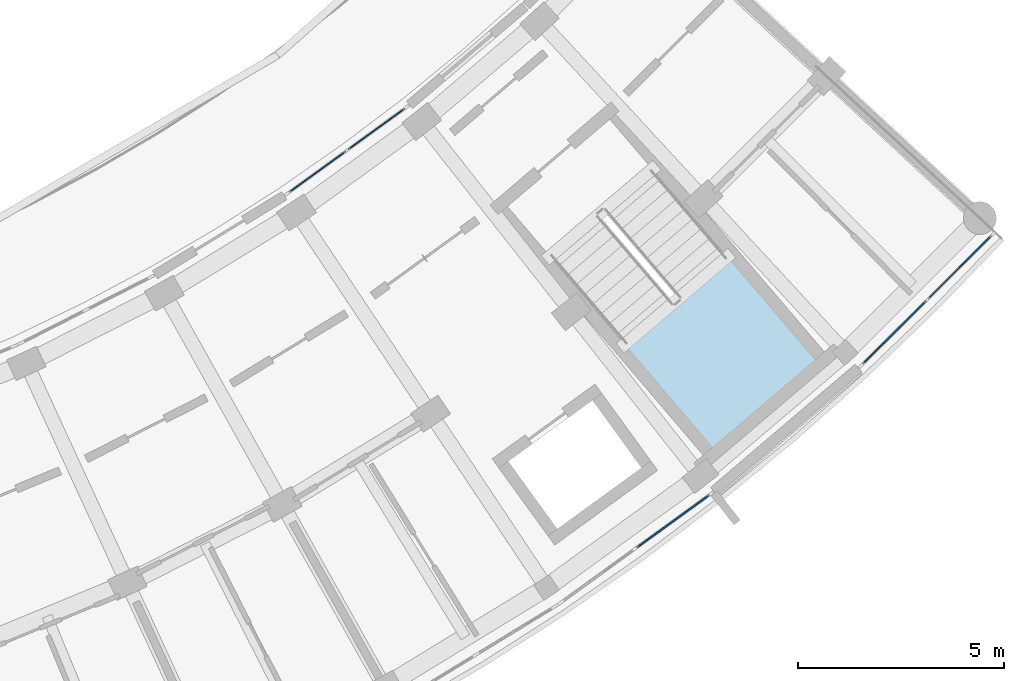
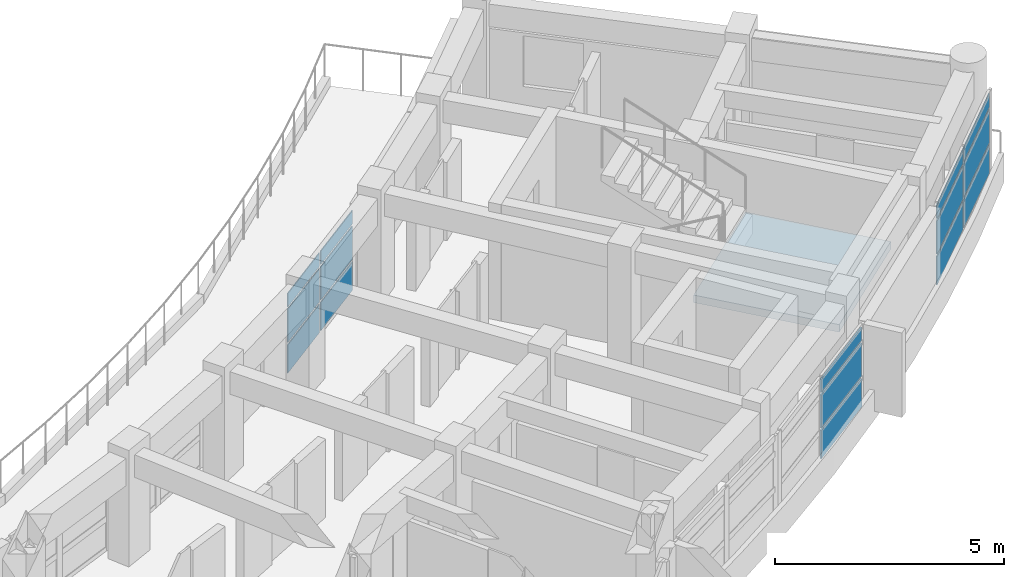
# One storey, part 26 of 54: 15 plates, 1 slab, 4 elements without a shape of their own.
"""IFC4 building model written with IfcOpenShell, lengths in metres."""

from ifc_helpers import new_model, si_unit, direction, frame, origin, origin_2d, place, context, subcontext, project, spatial, polyline, rectangle, outline, extrude, material, layer, layer_set, type_object, element, aggregate, save


model = new_model("IFC4")

# Units and contexts
model_context = context("Model", 3, precision=1e-05, world=origin(), true_north=direction((0.0, 1.0)))
body_context = subcontext(model_context, "Body", "Model", "MODEL_VIEW")
ifc_project = project(units=[si_unit("LENGTHUNIT", "METRE"), si_unit("AREAUNIT", "SQUARE_METRE"), si_unit("VOLUMEUNIT", "CUBIC_METRE"), si_unit("PLANEANGLEUNIT", "RADIAN"), si_unit("MASSUNIT", "GRAM", prefix="KILO")], contexts=[model_context])

# Site, building, storey
site_placement = place(None, origin())
site = spatial("IfcSite", under=ifc_project, at=site_placement, CompositionType="ELEMENT")
building_placement = place(site_placement, origin())
building = spatial("IfcBuilding", under=site, at=building_placement, Name="Zimvara Arc Housing Community", CompositionType="ELEMENT")
storey_placement = place(building_placement, frame((0.0, 0.0, 20.5)))
storey = spatial("IfcBuildingStorey", under=building, at=storey_placement, Name="L06", CompositionType="ELEMENT", Elevation=20.5)

# Curtain wall, plates
ifc_material_1 = material(Name="Anodised Aluminium AW-6063", Category="aluminium")
curtain_wall_type_1 = type_object("IfcCurtainWallType", Name="CW-SYS-04", PredefinedType="USERDEFINED", material=ifc_material_1)
curtain_wall_1_placement = place(storey_placement, origin())
curtain_wall_1 = element("IfcCurtainWall", 1, at=curtain_wall_1_placement, inside=storey, type_object=curtain_wall_type_1, Name="cw:blkD:L06:out:b7", ObjectType="CURTAIN WALL", PredefinedType="USERDEFINED")
ifc_material_2 = material(Name="Pale-Gold Anodised Aluminium Spandrel Panel", Category="aluminium")
ifc_layer_1 = layer(ifc_material_2, 0.035888671875)
ifc_layer_set_1 = layer_set([ifc_layer_1], Name="Pale-Gold Anodised Aluminium Spandrel Panel")
plate_type_1 = type_object("IfcPlateType", Name="CWP-GLD-36", PredefinedType="CURTAIN_PANEL", material=ifc_layer_set_1)
plate_1_placement = place(storey_placement, frame((161.719970703125, 62.484375, 0.06494140625), z_axis=(0.0, 0.0, 1.0), x_axis=(0.809530431263, 0.587077917196, 0.0)))
plate_1 = element("IfcPlate", 2, at=plate_1_placement, type_object=plate_type_1, Name="CW04 panel 2.1", PredefinedType="CURTAIN_PANEL", context=body_context, shape_type="SweptSolid", body=[
    extrude(rectangle(XDim=2.173828125, YDim=0.035888671875, at=origin_2d()), origin(), (0.0, 0.0, 1.0), 0.75244140625),
])
plate_2_placement = place(storey_placement, frame((161.719970703125, 62.484375, 0.88232421875), z_axis=(0.0, 0.0, 1.0), x_axis=(0.809530431263, 0.587077917196, 0.0)))
plate_2 = element("IfcPlate", 3, at=plate_2_placement, type_object=plate_type_1, Name="CW04 panel 2.2", PredefinedType="CURTAIN_PANEL", context=body_context, shape_type="SweptSolid", body=[
    extrude(rectangle(XDim=2.173828125, YDim=0.035888671875, at=origin_2d()), origin(), (0.0, 0.0, 1.0), 0.885009765625),
])
plate_3_placement = place(storey_placement, frame((161.719970703125, 62.484375, 1.83251953125), z_axis=(0.0, 0.0, 1.0), x_axis=(0.809530431263, 0.587077917196, 0.0)))
plate_3 = element("IfcPlate", 4, at=plate_3_placement, type_object=plate_type_1, Name="CW04 panel 2.3", PredefinedType="CURTAIN_PANEL", context=body_context, shape_type="SweptSolid", body=[
    extrude(rectangle(XDim=2.173828125, YDim=0.035888671875, at=origin_2d()), origin(), (0.0, 0.0, 1.0), 0.3525390625),
])
aggregate(curtain_wall_1, [plate_1, plate_2, plate_3])

ifc_material_3 = material(Name="Anodised Aluminium AW-6063", Category="aluminium")
curtain_wall_type_2 = type_object("IfcCurtainWallType", Name="CW-SYS-05", PredefinedType="USERDEFINED", material=ifc_material_3)
curtain_wall_2_placement = place(storey_placement, origin())
curtain_wall_2 = element("IfcCurtainWall", 5, at=curtain_wall_2_placement, inside=storey, type_object=curtain_wall_type_2, Name="cw:blkD:L06:in:b7", ObjectType="CURTAIN WALL", PredefinedType="USERDEFINED")
ifc_material_4 = material(Name="Solar Control Low-E Double Glazing", Category="glass")
ifc_layer_2 = layer(ifc_material_4, 0.02392578125)
ifc_layer_set_2 = layer_set([ifc_layer_2], Name="Solar Control Low-E Double Glazing")
plate_type_2 = type_object("IfcPlateType", Name="CWP-GLZ-24", PredefinedType="CURTAIN_PANEL", material=ifc_layer_set_2)
plate_4_placement = place(storey_placement, frame((153.081787109375, 70.982421875, 0.06494140625), z_axis=(0.0, 0.0, 1.0), x_axis=(0.809529791362, 0.587078799564, 0.0)))
plate_4 = element("IfcPlate", 6, at=plate_4_placement, type_object=plate_type_2, Name="CW05 panel 1.1", PredefinedType="CURTAIN_PANEL", context=body_context, shape_type="SweptSolid", body=[
    extrude(rectangle(XDim=1.7041015625, YDim=0.02392578125, at=origin_2d()), origin(), (0.0, 0.0, 1.0), 0.75244140625),
])
plate_5_placement = place(storey_placement, frame((153.081787109375, 70.982421875, 0.88232421875), z_axis=(0.0, 0.0, 1.0), x_axis=(0.809529791362, 0.587078799564, 0.0)))
plate_5 = element("IfcPlate", 7, at=plate_5_placement, type_object=plate_type_2, Name="CW05 panel 1.2", PredefinedType="CURTAIN_PANEL", context=body_context, shape_type="SweptSolid", body=[
    extrude(rectangle(XDim=1.7041015625, YDim=0.02392578125, at=origin_2d()), origin(), (0.0, 0.0, 1.0), 0.885009765625),
])
plate_6_placement = place(storey_placement, frame((153.081787109375, 70.982421875, 1.83251953125), z_axis=(0.0, 0.0, 1.0), x_axis=(0.809529791362, 0.587078799564, 0.0)))
plate_6 = element("IfcPlate", 8, at=plate_6_placement, type_object=plate_type_2, Name="CW05 panel 1.3", PredefinedType="CURTAIN_PANEL", context=body_context, shape_type="SweptSolid", body=[
    extrude(rectangle(XDim=1.7041015625, YDim=0.02392578125, at=origin_2d()), origin(), (0.0, 0.0, 1.0), 0.3525390625),
])
plate_7_placement = place(storey_placement, frame((154.513916015625, 72.02099609375, 0.06494140625), z_axis=(0.0, 0.0, 1.0), x_axis=(0.809529791362, 0.587078799564, 0.0)))
plate_7 = element("IfcPlate", 9, at=plate_7_placement, type_object=plate_type_2, Name="CW05 panel 2.1", PredefinedType="CURTAIN_PANEL", context=body_context, shape_type="SweptSolid", body=[
    extrude(rectangle(XDim=1.7041015625, YDim=0.02392578125, at=origin_2d()), origin(), (0.0, 0.0, 1.0), 0.75244140625),
])
plate_8_placement = place(storey_placement, frame((154.513916015625, 72.02099609375, 0.88232421875), z_axis=(0.0, 0.0, 1.0), x_axis=(0.809529791362, 0.587078799564, 0.0)))
plate_8 = element("IfcPlate", 10, at=plate_8_placement, type_object=plate_type_2, Name="CW05 panel 2.2", PredefinedType="CURTAIN_PANEL", context=body_context, shape_type="SweptSolid", body=[
    extrude(rectangle(XDim=1.7041015625, YDim=0.02392578125, at=origin_2d()), origin(), (0.0, 0.0, 1.0), 0.885009765625),
])
plate_9_placement = place(storey_placement, frame((154.513916015625, 72.02099609375, 1.83251953125), z_axis=(0.0, 0.0, 1.0), x_axis=(0.809529791362, 0.587078799564, 0.0)))
plate_9 = element("IfcPlate", 11, at=plate_9_placement, type_object=plate_type_2, Name="CW05 panel 2.3", PredefinedType="CURTAIN_PANEL", context=body_context, shape_type="SweptSolid", body=[
    extrude(rectangle(XDim=1.7041015625, YDim=0.02392578125, at=origin_2d()), origin(), (0.0, 0.0, 1.0), 0.3525390625),
])
aggregate(curtain_wall_2, [plate_4, plate_5, plate_6, plate_7, plate_8, plate_9])

ifc_material_5 = material(Name="Anodised Aluminium AW-6063", Category="aluminium")
curtain_wall_type_3 = type_object("IfcCurtainWallType", Name="CW-SYS-06", PredefinedType="USERDEFINED", material=ifc_material_5)
curtain_wall_3_placement = place(storey_placement, origin())
curtain_wall_3 = element("IfcCurtainWall", 12, at=curtain_wall_3_placement, inside=storey, type_object=curtain_wall_type_3, Name="cw:blkD:L06:out:b9", ObjectType="CURTAIN WALL", PredefinedType="USERDEFINED")
ifc_material_6 = material(Name="Solar Control Low-E Double Glazing", Category="glass")
ifc_layer_3 = layer(ifc_material_6, 0.028076171875)
ifc_layer_set_3 = layer_set([ifc_layer_3], Name="Solar Control Low-E Double Glazing")
plate_type_3 = type_object("IfcPlateType", Name="CWP-GLZ-28", PredefinedType="CURTAIN_PANEL", material=ifc_layer_set_3)
plate_10_placement = place(storey_placement, frame((167.106689453125, 67.076904296875, 0.06494140625), z_axis=(0.0, 0.0, 1.0), x_axis=(0.707724012233, 0.706489010891, 0.0)))
plate_10 = element("IfcPlate", 13, at=plate_10_placement, type_object=plate_type_3, Name="CW06 panel 1.1", PredefinedType="CURTAIN_PANEL", context=body_context, shape_type="SweptSolid", body=[
    extrude(rectangle(XDim=2.173828125, YDim=0.028076171875, at=origin_2d()), origin(), (0.0, 0.0, 1.0), 0.75244140625),
])
plate_11_placement = place(storey_placement, frame((167.106689453125, 67.076904296875, 0.88232421875), z_axis=(0.0, 0.0, 1.0), x_axis=(0.707724012233, 0.706489010891, 0.0)))
plate_11 = element("IfcPlate", 14, at=plate_11_placement, type_object=plate_type_3, Name="CW06 panel 1.2", PredefinedType="CURTAIN_PANEL", context=body_context, shape_type="SweptSolid", body=[
    extrude(rectangle(XDim=2.173828125, YDim=0.028076171875, at=origin_2d()), origin(), (0.0, 0.0, 1.0), 0.885009765625),
])
plate_12_placement = place(storey_placement, frame((167.106689453125, 67.076904296875, 1.83251953125), z_axis=(0.0, 0.0, 1.0), x_axis=(0.707724012233, 0.706489010891, 0.0)))
plate_12 = element("IfcPlate", 15, at=plate_12_placement, type_object=plate_type_3, Name="CW06 panel 1.3", PredefinedType="CURTAIN_PANEL", context=body_context, shape_type="SweptSolid", body=[
    extrude(rectangle(XDim=2.173828125, YDim=0.028076171875, at=origin_2d()), origin(), (0.0, 0.0, 1.0), 0.3525390625),
])
plate_13_placement = place(storey_placement, frame((168.691162109375, 68.65869140625, 0.06494140625), z_axis=(0.0, 0.0, 1.0), x_axis=(0.707724012233, 0.706489010891, 0.0)))
plate_13 = element("IfcPlate", 16, at=plate_13_placement, type_object=plate_type_3, Name="CW06 panel 2.1", PredefinedType="CURTAIN_PANEL", context=body_context, shape_type="SweptSolid", body=[
    extrude(rectangle(XDim=2.173828125, YDim=0.028076171875, at=origin_2d()), origin(), (0.0, 0.0, 1.0), 0.75244140625),
])
plate_14_placement = place(storey_placement, frame((168.691162109375, 68.65869140625, 0.88232421875), z_axis=(0.0, 0.0, 1.0), x_axis=(0.707724012233, 0.706489010891, 0.0)))
plate_14 = element("IfcPlate", 17, at=plate_14_placement, type_object=plate_type_3, Name="CW06 panel 2.2", PredefinedType="CURTAIN_PANEL", context=body_context, shape_type="SweptSolid", body=[
    extrude(rectangle(XDim=2.173828125, YDim=0.028076171875, at=origin_2d()), origin(), (0.0, 0.0, 1.0), 0.885009765625),
])
plate_15_placement = place(storey_placement, frame((168.691162109375, 68.65869140625, 1.83251953125), z_axis=(0.0, 0.0, 1.0), x_axis=(0.707724012233, 0.706489010891, 0.0)))
plate_15 = element("IfcPlate", 18, at=plate_15_placement, type_object=plate_type_3, Name="CW06 panel 2.3", PredefinedType="CURTAIN_PANEL", context=body_context, shape_type="SweptSolid", body=[
    extrude(rectangle(XDim=2.173828125, YDim=0.028076171875, at=origin_2d()), origin(), (0.0, 0.0, 1.0), 0.3525390625),
])
aggregate(curtain_wall_3, [plate_10, plate_11, plate_12, plate_13, plate_14, plate_15])

# Stair, slab
ifc_material_7 = material(Name="Concrete C35/45", Category="concrete")
stair_type = type_object("IfcStairType", Name="STR-DL-312-310", PredefinedType="HALF_TURN_STAIR", material=ifc_material_7)
stair_placement = place(storey_placement, origin())
stair = element("IfcStair", 19, at=stair_placement, inside=storey, type_object=stair_type, Name="L06 Block D Exit Stair 2", PredefinedType="HALF_TURN_STAIR")
ifc_material_8 = material(Name="Concrete C35/45", Category="concrete")
ifc_layer_4 = layer(ifc_material_8, 0.199951171875)
ifc_layer_set_4 = layer_set([ifc_layer_4], Name="Concrete C35/45")
slab_type = type_object("IfcSlabType", Name="SLB-STAIR-LND-200", PredefinedType="LANDING", material=ifc_layer_set_4)
slab_placement = place(storey_placement, frame((0.0, 0.0, 1.35009765625)))
slab = element("IfcSlab", 20, at=slab_placement, type_object=slab_type, Name="ST-D2 landing 1", PredefinedType="LANDING", context=body_context, shape_type="SweptSolid", body=[
    extrude(outline(polyline([(160.49365234375, 66.788818359375), (162.681396484375, 64.22265625), (165.23828125, 66.402587890625), (163.050537109375, 68.96875), (160.49365234375, 66.788818359375)])), origin(), (0.0, 0.0, 1.0), 0.199951171875),
])
aggregate(stair, [slab])

save(model, "model.ifc")
